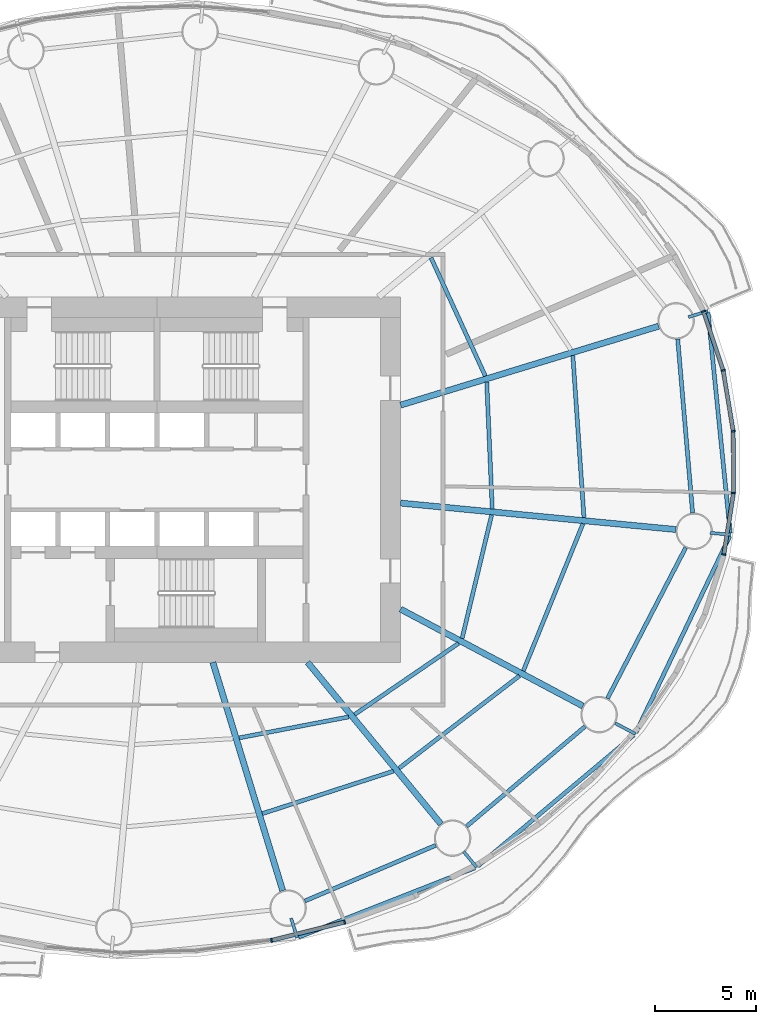
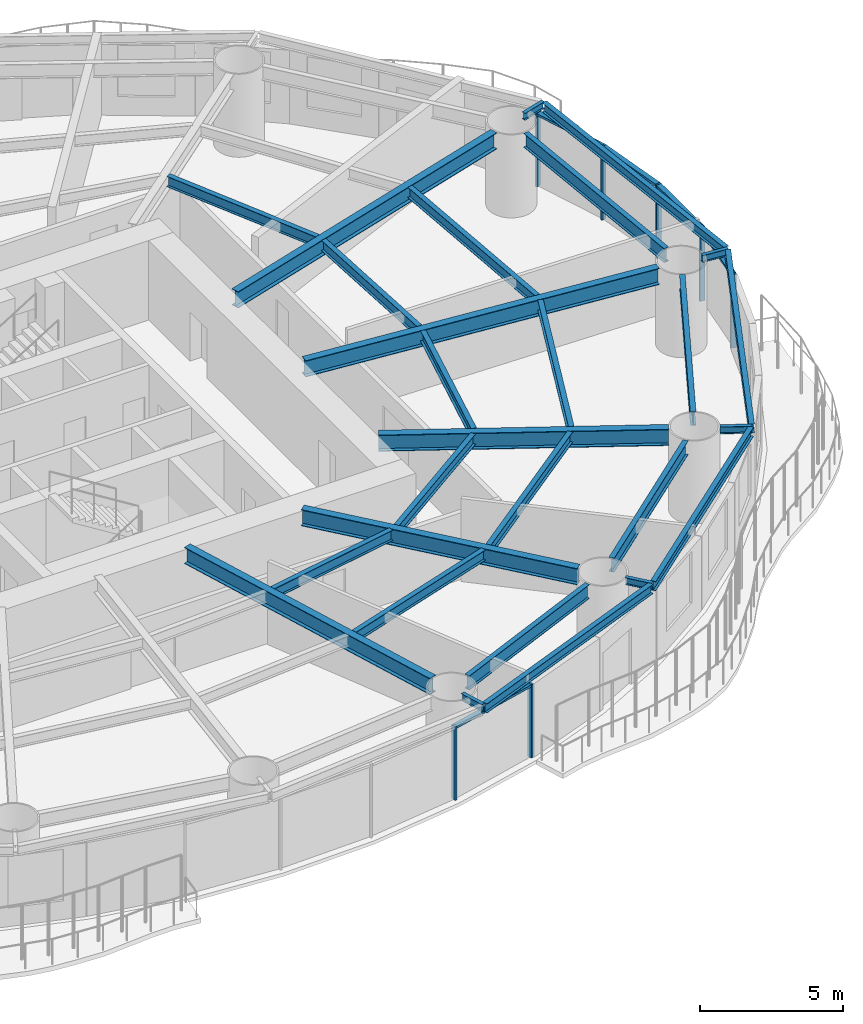
# One storey, part 4 of 17: 27 beams, 12 members, 5 elements without a shape of their own.
"""IFC4 building model written with IfcOpenShell, lengths in metres."""

from ifc_helpers import new_model, si_unit, direction, frame, origin, origin_2d, place, context, subcontext, project, spatial, rectangle, i_section, extrude, material, material_profile, profile_set, type_object, element, aggregate, save


model = new_model("IFC4")

# Units and contexts
model_context = context("Model", 3, precision=1e-05, world=origin(), true_north=direction((0.0, 1.0)))
body_context = subcontext(model_context, "Body", "Model", "MODEL_VIEW")
ifc_project = project(units=[si_unit("LENGTHUNIT", "METRE"), si_unit("AREAUNIT", "SQUARE_METRE"), si_unit("VOLUMEUNIT", "CUBIC_METRE"), si_unit("PLANEANGLEUNIT", "RADIAN"), si_unit("MASSUNIT", "GRAM", prefix="KILO")], contexts=[model_context])

# Site, building, storey
site_placement = place(None, origin())
site = spatial("IfcSite", under=ifc_project, at=site_placement, CompositionType="ELEMENT")
building_placement = place(site_placement, origin())
building = spatial("IfcBuilding", under=site, at=building_placement, Name="Vermilion Reach Broadcast Tower", CompositionType="ELEMENT")
storey_placement = place(building_placement, frame((0.0, 0.0, 54.5)))
storey = spatial("IfcBuildingStorey", under=building, at=storey_placement, Name="L10", CompositionType="ELEMENT", Elevation=54.5)

# Beams
ifc_material_1 = material(Name="Steel S355J2", Category="steel")
ifc_material_profile_1 = material_profile(ifc_material_1, i_section(OverallWidth=0.199951171875, OverallDepth=0.39990234375, WebThickness=0.008056640625, FlangeThickness=0.012939453125, at=origin_2d()), Name="S355J2 HN 400x200x8x13")
ifc_profile_set_1 = profile_set([ifc_material_profile_1], Name="Steel S355J2")
beam_type_1 = type_object("IfcBeamType", Name="EB1 HN 400x200x8x13", PredefinedType="BEAM", material=ifc_profile_set_1)
beam_1_placement = place(storey_placement, frame((0.97265625, -22.53564453125, 3.35009765625), z_axis=(0.930806107758, 0.365513323642, 0.0), x_axis=(-0.365513323642, 0.930806107758, 0.0)))
element("IfcBeam", 1, at=beam_1_placement, inside=storey, type_object=beam_type_1, Name="Edge beam EB1-13", PredefinedType="BEAM", context=body_context, shape_type="SweptSolid", body=[
    extrude(i_section(OverallWidth=0.199951171875, OverallDepth=0.39990234375, WebThickness=0.008056640625, FlangeThickness=0.012939453125, at=origin_2d()), origin(), (0.0, 0.0, 1.0), 9.34375),
])
beam_2_placement = place(storey_placement, frame((9.80078125, -19.043212890625, 3.35009765625), z_axis=(0.765615894979, 0.643297987993, 0.0), x_axis=(-0.643297987993, 0.765615894979, 0.0)))
element("IfcBeam", 2, at=beam_2_placement, inside=storey, type_object=beam_type_1, Name="Edge beam EB1-14", PredefinedType="BEAM", context=body_context, shape_type="SweptSolid", body=[
    extrude(i_section(OverallWidth=0.199951171875, OverallDepth=0.39990234375, WebThickness=0.008056640625, FlangeThickness=0.012939453125, at=origin_2d()), origin(), (0.0, 0.0, 1.0), 10.0556640625),
])
beam_3_placement = place(storey_placement, frame((17.59375, -12.454833984375, 3.35009765625), z_axis=(0.431220871695, 0.902246396399, 0.0), x_axis=(-0.902246396399, 0.431220871695, 0.0)))
element("IfcBeam", 3, at=beam_3_placement, inside=storey, type_object=beam_type_1, Name="Edge beam EB1-15", PredefinedType="BEAM", context=body_context, shape_type="SweptSolid", body=[
    extrude(i_section(OverallWidth=0.199951171875, OverallDepth=0.39990234375, WebThickness=0.008056640625, FlangeThickness=0.012939453125, at=origin_2d()), origin(), (0.0, 0.0, 1.0), 10.715087890625),
])
beam_4_placement = place(storey_placement, frame((22.2412109375, -2.638916015625, 3.35009765625), z_axis=(-0.100362561945, 0.994950931534, 0.0), x_axis=(-0.994950931534, -0.100362561945, 0.0)))
element("IfcBeam", 4, at=beam_4_placement, inside=storey, type_object=beam_type_1, Name="Edge beam EB1-16", PredefinedType="BEAM", context=body_context, shape_type="SweptSolid", body=[
    extrude(i_section(OverallWidth=0.199951171875, OverallDepth=0.39990234375, WebThickness=0.008056640625, FlangeThickness=0.012939453125, at=origin_2d()), origin(), (0.0, 0.0, 1.0), 10.919921875),
])
ifc_material_2 = material(Name="Steel S355J2", Category="steel")
ifc_material_profile_2 = material_profile(ifc_material_2, i_section(OverallWidth=0.300048828125, OverallDepth=0.699951171875, WebThickness=0.012939453125, FlangeThickness=0.02392578125, at=origin_2d()), Name="S355J2 HN 700x300x13x24")
ifc_profile_set_2 = profile_set([ifc_material_profile_2], Name="Steel S355J2")
beam_type_2 = type_object("IfcBeamType", Name="G1 HN 700x300x13x24", PredefinedType="BEAM", material=ifc_profile_set_2)
beam_5_placement = place(storey_placement, frame((6.0, 3.671142578125, 3.199951171875), z_axis=(0.956255735186, 0.292531996409, 0.0), x_axis=(-0.292531996409, 0.956255735186, 0.0)))
element("IfcBeam", 5, at=beam_5_placement, inside=storey, type_object=beam_type_2, Name="Girder G1-01", PredefinedType="BEAM", context=body_context, shape_type="SweptSolid", body=[
    extrude(i_section(OverallWidth=0.300048828125, OverallDepth=0.699951171875, WebThickness=0.012939453125, FlangeThickness=0.02392578125, at=origin_2d()), origin(), (0.0, 0.0, 1.0), 13.29638671875),
])
beam_6_placement = place(storey_placement, frame((-3.246826171875, -9.0, 3.199951171875), z_axis=(0.292542302886, -0.95625258223, 0.0), x_axis=(0.95625258223, 0.292542302886, 0.0)))
element("IfcBeam", 6, at=beam_6_placement, inside=storey, type_object=beam_type_2, Name="Girder G1-13", PredefinedType="BEAM", context=body_context, shape_type="SweptSolid", body=[
    extrude(i_section(OverallWidth=0.300048828125, OverallDepth=0.699951171875, WebThickness=0.012939453125, FlangeThickness=0.02392578125, at=origin_2d()), origin(), (0.0, 0.0, 1.0), 11.76220703125),
])
beam_7_placement = place(storey_placement, frame((1.421630859375, -9.0, 3.199951171875), z_axis=(0.636215165107, -0.77151167437, 0.0), x_axis=(0.77151167437, 0.636215165107, 0.0)))
element("IfcBeam", 7, at=beam_7_placement, inside=storey, type_object=beam_type_2, Name="Girder G1-14", PredefinedType="BEAM", context=body_context, shape_type="SweptSolid", body=[
    extrude(i_section(OverallWidth=0.300048828125, OverallDepth=0.699951171875, WebThickness=0.012939453125, FlangeThickness=0.02392578125, at=origin_2d()), origin(), (0.0, 0.0, 1.0), 10.3251953125),
])
beam_8_placement = place(storey_placement, frame((6.0, -6.3779296875, 3.199951171875), z_axis=(0.883032139419, -0.469312519279, 0.0), x_axis=(0.469312519279, 0.883032139419, 0.0)))
element("IfcBeam", 8, at=beam_8_placement, inside=storey, type_object=beam_type_2, Name="Girder G1-15", PredefinedType="BEAM", context=body_context, shape_type="SweptSolid", body=[
    extrude(i_section(OverallWidth=0.300048828125, OverallDepth=0.699951171875, WebThickness=0.012939453125, FlangeThickness=0.02392578125, at=origin_2d()), origin(), (0.0, 0.0, 1.0), 10.17529296875),
])
beam_9_placement = place(storey_placement, frame((6.0, -1.1533203125, 3.199951171875), z_axis=(0.995412178872, -0.095679643363, 0.0), x_axis=(0.095679643363, 0.995412178872, 0.0)))
element("IfcBeam", 9, at=beam_9_placement, inside=storey, type_object=beam_type_2, Name="Girder G1-16", PredefinedType="BEAM", context=body_context, shape_type="SweptSolid", body=[
    extrude(i_section(OverallWidth=0.300048828125, OverallDepth=0.699951171875, WebThickness=0.012939453125, FlangeThickness=0.02392578125, at=origin_2d()), origin(), (0.0, 0.0, 1.0), 13.630859375),
])
ifc_material_3 = material(Name="Steel S355J2", Category="steel")
ifc_material_profile_3 = material_profile(ifc_material_3, i_section(OverallWidth=0.14990234375, OverallDepth=0.300048828125, WebThickness=0.006591796875, FlangeThickness=0.009033203125, at=origin_2d()), Name="S355J2 HN 300x150x6.5x9")
ifc_profile_set_3 = profile_set([ifc_material_profile_3], Name="Steel S355J2")
beam_type_3 = type_object("IfcBeamType", Name="GS1 HN 300x150x6.5x9", PredefinedType="BEAM", material=ifc_profile_set_3)
for number, where, z_axis, x_axis, name in (
    (10, (20.18115234375, 8.009521484375, 3.39990234375), (0.95627383467, 0.292472824594, 0.0), (-0.292472824594, 0.95627383467, 0.0), "Cantilever stub GS1-01"),
    (11, (0.610107421875, -21.60693359375, 3.39990234375), (0.292472824594, -0.95627383467, 0.0), (0.95627383467, 0.292472824594, 0.0), "Cantilever stub GS1-13"),
    (12, (9.107177734375, -18.320068359375, 3.39990234375), (0.636237674108, -0.771493112118, 0.0), (0.771493112118, 0.636237674108, 0.0), "Cantilever stub GS1-14"),
):
    element("IfcBeam", number, at=place(storey_placement, frame(where, z_axis=z_axis, x_axis=x_axis)), inside=storey, type_object=beam_type_3, Name=name, PredefinedType="BEAM", context=body_context, shape_type="SweptSolid", body=[
        extrude(i_section(OverallWidth=0.14990234375, OverallDepth=0.300048828125, WebThickness=0.006591796875, FlangeThickness=0.009033203125, at=origin_2d()), origin(), (0.0, 0.0, 1.0), 1.0),
    ])
beam_10_placement = place(storey_placement, frame((16.574462890625, -11.998046875, 3.39990234375), z_axis=(0.883053482008, -0.469272360058, 0.0), x_axis=(0.469272360058, 0.883053482008, 0.0)))
element("IfcBeam", 13, at=beam_10_placement, inside=storey, type_object=beam_type_3, Name="Cantilever stub GS1-15", PredefinedType="BEAM", context=body_context, shape_type="SweptSolid", body=[
    extrude(i_section(OverallWidth=0.14990234375, OverallDepth=0.300048828125, WebThickness=0.006591796875, FlangeThickness=0.009033203125, at=origin_2d()), origin(), (0.0, 0.0, 1.0), 1.117431640625),
])
beam_11_placement = place(storey_placement, frame((21.25341796875, -2.619384765625, 3.39990234375), z_axis=(0.995409476419, -0.095707754417, 0.0), x_axis=(0.095707754417, 0.995409476419, 0.0)))
element("IfcBeam", 14, at=beam_11_placement, inside=storey, type_object=beam_type_3, Name="Cantilever stub GS1-16", PredefinedType="BEAM", context=body_context, shape_type="SweptSolid", body=[
    extrude(i_section(OverallWidth=0.14990234375, OverallDepth=0.300048828125, WebThickness=0.006591796875, FlangeThickness=0.009033203125, at=origin_2d()), origin(), (0.0, 0.0, 1.0), 1.0),
])
ifc_material_4 = material(Name="Steel S355J2", Category="steel")
ifc_material_profile_4 = material_profile(ifc_material_4, i_section(OverallWidth=0.199951171875, OverallDepth=0.60009765625, WebThickness=0.010986328125, FlangeThickness=0.01708984375, at=origin_2d()), Name="S355J2 HN 600x200x11x17")
ifc_profile_set_4 = profile_set([ifc_material_profile_4], Name="Steel S355J2")
beam_type_4 = type_object("IfcBeamType", Name="RB1 HN 600x200x11x17", PredefinedType="BEAM", material=ifc_profile_set_4)
beam_12_placement = place(storey_placement, frame((1.28564453125, -20.755859375, 3.25), z_axis=(0.920220846584, 0.391399531825, 0.0), x_axis=(-0.391399531825, 0.920220846584, 0.0)))
element("IfcBeam", 15, at=beam_12_placement, inside=storey, type_object=beam_type_4, Name="Ring beam RB1-13", PredefinedType="BEAM", context=body_context, shape_type="SweptSolid", body=[
    extrude(i_section(OverallWidth=0.199951171875, OverallDepth=0.60009765625, WebThickness=0.010986328125, FlangeThickness=0.01708984375, at=origin_2d()), origin(), (0.0, 0.0, 1.0), 7.008544921875),
])
beam_13_placement = place(storey_placement, frame((9.251220703125, -17.080322265625, 3.25), z_axis=(0.764512441084, 0.6446089725, 0.0), x_axis=(-0.6446089725, 0.764512441084, 0.0)))
element("IfcBeam", 16, at=beam_13_placement, inside=storey, type_object=beam_type_4, Name="Ring beam RB1-14", PredefinedType="BEAM", context=body_context, shape_type="SweptSolid", body=[
    extrude(i_section(OverallWidth=0.199951171875, OverallDepth=0.60009765625, WebThickness=0.010986328125, FlangeThickness=0.01708984375, at=origin_2d()), origin(), (0.0, 0.0, 1.0), 7.6396484375),
])
beam_14_placement = place(storey_placement, frame((16.194091796875, -10.776611328125, 3.25), z_axis=(0.460411617218, 0.887705549566, 0.0), x_axis=(-0.887705549566, 0.460411617218, 0.0)))
element("IfcBeam", 17, at=beam_14_placement, inside=storey, type_object=beam_type_4, Name="Ring beam RB1-15", PredefinedType="BEAM", context=body_context, shape_type="SweptSolid", body=[
    extrude(i_section(OverallWidth=0.199951171875, OverallDepth=0.60009765625, WebThickness=0.010986328125, FlangeThickness=0.01708984375, at=origin_2d()), origin(), (0.0, 0.0, 1.0), 8.37451171875),
])
beam_15_placement = place(storey_placement, frame((20.38720703125, -1.646728515625, 3.25), z_axis=(-0.085395508608, 0.996347131832, 0.0), x_axis=(-0.996347131832, -0.085395508608, 0.0)))
element("IfcBeam", 18, at=beam_15_placement, inside=storey, type_object=beam_type_4, Name="Ring beam RB1-16", PredefinedType="BEAM", context=body_context, shape_type="SweptSolid", body=[
    extrude(i_section(OverallWidth=0.199951171875, OverallDepth=0.60009765625, WebThickness=0.010986328125, FlangeThickness=0.01708984375, at=origin_2d()), origin(), (0.0, 0.0, 1.0), 8.60546875),
])
ifc_material_5 = material(Name="Steel S355J2", Category="steel")
ifc_material_profile_5 = material_profile(ifc_material_5, i_section(OverallWidth=0.199951171875, OverallDepth=0.449951171875, WebThickness=0.009033203125, FlangeThickness=0.013916015625, at=origin_2d()), Name="S355J2 HN 450x200x9x14")
ifc_profile_set_5 = profile_set([ifc_material_profile_5], Name="Steel S355J2")
beam_type_5 = type_object("IfcBeamType", Name="SB1 HN 450x200x9x14", PredefinedType="BEAM", material=ifc_profile_set_5)
beam_16_placement = place(storey_placement, frame((10.175048828125, 5.105224609375, 3.324951171875), z_axis=(-0.417211452529, 0.908809443106, 0.0), x_axis=(-0.908809443106, -0.417211452529, 0.0)))
element("IfcBeam", 19, at=beam_16_placement, inside=storey, type_object=beam_type_5, Name="Secondary beam SB1-01-1", PredefinedType="BEAM", context=body_context, shape_type="SweptSolid", body=[
    extrude(i_section(OverallWidth=0.199951171875, OverallDepth=0.449951171875, WebThickness=0.009033203125, FlangeThickness=0.013916015625, at=origin_2d()), origin(), (0.0, 0.0, 1.0), 6.41650390625),
])
beam_17_placement = place(storey_placement, frame((-1.95166015625, -12.720703125, 3.324951171875), z_axis=(0.982151348822, 0.188092339045, 0.0), x_axis=(-0.188092339045, 0.982151348822, 0.0)))
element("IfcBeam", 20, at=beam_17_placement, inside=storey, type_object=beam_type_5, Name="Secondary beam SB1-13-1", PredefinedType="BEAM", context=body_context, shape_type="SweptSolid", body=[
    extrude(i_section(OverallWidth=0.199951171875, OverallDepth=0.449951171875, WebThickness=0.009033203125, FlangeThickness=0.013916015625, at=origin_2d()), origin(), (0.0, 0.0, 1.0), 5.4931640625),
])
beam_18_placement = place(storey_placement, frame((-0.81005859375, -16.4521484375, 3.324951171875), z_axis=(0.951332300844, 0.308166924523, 0.0), x_axis=(-0.308166924523, 0.951332300844, 0.0)))
element("IfcBeam", 21, at=beam_18_placement, inside=storey, type_object=beam_type_5, Name="Secondary beam SB1-13-2", PredefinedType="BEAM", context=body_context, shape_type="SweptSolid", body=[
    extrude(i_section(OverallWidth=0.199951171875, OverallDepth=0.449951171875, WebThickness=0.009033203125, FlangeThickness=0.013916015625, at=origin_2d()), origin(), (0.0, 0.0, 1.0), 6.787841796875),
])
beam_19_placement = place(storey_placement, frame((3.735595703125, -11.5703125, 3.324951171875), z_axis=(0.825140253447, 0.564927926502, 0.0), x_axis=(-0.564927926502, 0.825140253447, 0.0)))
element("IfcBeam", 22, at=beam_19_placement, inside=storey, type_object=beam_type_5, Name="Secondary beam SB1-14-1", PredefinedType="BEAM", context=body_context, shape_type="SweptSolid", body=[
    extrude(i_section(OverallWidth=0.199951171875, OverallDepth=0.449951171875, WebThickness=0.009033203125, FlangeThickness=0.013916015625, at=origin_2d()), origin(), (0.0, 0.0, 1.0), 6.20458984375),
])
beam_20_placement = place(storey_placement, frame((5.920166015625, -14.21923828125, 3.324951171875), z_axis=(0.793349617473, 0.60876628065, 0.0), x_axis=(-0.60876628065, 0.793349617473, 0.0)))
element("IfcBeam", 23, at=beam_20_placement, inside=storey, type_object=beam_type_5, Name="Secondary beam SB1-14-2", PredefinedType="BEAM", context=body_context, shape_type="SweptSolid", body=[
    extrude(i_section(OverallWidth=0.199951171875, OverallDepth=0.449951171875, WebThickness=0.009033203125, FlangeThickness=0.013916015625, at=origin_2d()), origin(), (0.0, 0.0, 1.0), 7.486328125),
])
beam_21_placement = place(storey_placement, frame((9.031005859375, -7.81884765625, 3.324951171875), z_axis=(0.232844467589, 0.972513986487, 0.0), x_axis=(-0.972513986487, 0.232844467589, 0.0)))
element("IfcBeam", 24, at=beam_21_placement, inside=storey, type_object=beam_type_5, Name="Secondary beam SB1-15-1", PredefinedType="BEAM", context=body_context, shape_type="SweptSolid", body=[
    extrude(i_section(OverallWidth=0.199951171875, OverallDepth=0.449951171875, WebThickness=0.009033203125, FlangeThickness=0.013916015625, at=origin_2d()), origin(), (0.0, 0.0, 1.0), 6.25537109375),
])
beam_22_placement = place(storey_placement, frame((12.046630859375, -9.421630859375, 3.324951171875), z_axis=(0.375640669938, 0.926765389453, 0.0), x_axis=(-0.926765389453, 0.375640669938, 0.0)))
element("IfcBeam", 25, at=beam_22_placement, inside=storey, type_object=beam_type_5, Name="Secondary beam SB1-15-2", PredefinedType="BEAM", context=body_context, shape_type="SweptSolid", body=[
    extrude(i_section(OverallWidth=0.199951171875, OverallDepth=0.449951171875, WebThickness=0.009033203125, FlangeThickness=0.013916015625, at=origin_2d()), origin(), (0.0, 0.0, 1.0), 7.8271484375),
])
beam_23_placement = place(storey_placement, frame((10.51611328125, -1.436767578125, 3.324951171875), z_axis=(-0.043361007512, 0.999059469215, 0.0), x_axis=(-0.999059469215, -0.043361007512, 0.0)))
element("IfcBeam", 26, at=beam_23_placement, inside=storey, type_object=beam_type_5, Name="Secondary beam SB1-16-1", PredefinedType="BEAM", context=body_context, shape_type="SweptSolid", body=[
    extrude(i_section(OverallWidth=0.199951171875, OverallDepth=0.449951171875, WebThickness=0.009033203125, FlangeThickness=0.013916015625, at=origin_2d()), origin(), (0.0, 0.0, 1.0), 6.25537109375),
])
beam_24_placement = place(storey_placement, frame((15.03515625, -1.87109375, 3.324951171875), z_axis=(-0.068507801475, 0.997650580683, 0.0), x_axis=(-0.997650580683, -0.068507801475, 0.0)))
element("IfcBeam", 27, at=beam_24_placement, inside=storey, type_object=beam_type_5, Name="Secondary beam SB1-16-2", PredefinedType="BEAM", context=body_context, shape_type="SweptSolid", body=[
    extrude(i_section(OverallWidth=0.199951171875, OverallDepth=0.449951171875, WebThickness=0.009033203125, FlangeThickness=0.013916015625, at=origin_2d()), origin(), (0.0, 0.0, 1.0), 8.00048828125),
])

# Curtain wall, member
ifc_material_6 = material(Name="Low-e laminated clear glass in aluminium frame", Category="aluminium")
curtain_wall_type = type_object("IfcCurtainWallType", Name="Slot curtain wall", PredefinedType="NOTDEFINED", material=ifc_material_6)
placement = place(storey_placement, origin())
curtain_wall_1 = element("IfcCurtainWall", 28, at=placement, inside=storey, type_object=curtain_wall_type, Name="Slot curtain wall L10 46", PredefinedType="NOTDEFINED")
ifc_material_7 = material(Name="Anodised aluminium", Category="aluminium")
ifc_material_profile_6 = material_profile(ifc_material_7, rectangle(XDim=0.199951171875, YDim=0.080078125, at=origin_2d()), Name="Slot mullion 80 x 200")
ifc_profile_set_6 = profile_set([ifc_material_profile_6], Name="Anodised aluminium")
member_type_1 = type_object("IfcMemberType", Name="Slot mullion 80 x 200", PredefinedType="MULLION", material=ifc_profile_set_6)
member_1_placement = place(storey_placement, frame((21.926025390625, -3.68798828125, 0.0), z_axis=(0.0, 0.0, 1.0), x_axis=(-0.973285467986, 0.229598340167, 0.0)))
member_1 = element("IfcMember", 29, at=member_1_placement, type_object=member_type_1, Name="Slot mullion L10 46", PredefinedType="MULLION", context=body_context, shape_type="SweptSolid", body=[
    extrude(rectangle(XDim=0.199951171875, YDim=0.080078125, at=origin_2d()), origin(), (0.0, 0.0, 1.0), 3.14990234375),
])

curtain_wall_2 = element("IfcCurtainWall", 30, at=placement, inside=storey, type_object=curtain_wall_type, Name="Slot curtain wall L10 47", PredefinedType="NOTDEFINED")
member_2_placement = place(storey_placement, frame((22.397705078125, -0.6572265625, 0.0), z_axis=(0.0, 0.0, 1.0), x_axis=(-0.997173504298, 0.075133230503, 0.0)))
member_2 = element("IfcMember", 31, at=member_2_placement, type_object=member_type_1, Name="Slot mullion L10 47", PredefinedType="MULLION", context=body_context, shape_type="SweptSolid", body=[
    extrude(rectangle(XDim=0.199951171875, YDim=0.080078125, at=origin_2d()), origin(), (0.0, 0.0, 1.0), 3.14990234375),
])

curtain_wall_3 = element("IfcCurtainWall", 32, at=placement, inside=storey, type_object=curtain_wall_type, Name="Slot curtain wall L10 00", PredefinedType="NOTDEFINED")
member_3_placement = place(storey_placement, frame((22.3857421875, 2.383544921875, 0.0), z_axis=(0.0, 0.0, 1.0), x_axis=(-0.996492861481, -0.083677816757, 0.0)))
member_3 = element("IfcMember", 33, at=member_3_placement, type_object=member_type_1, Name="Slot mullion L10 00", PredefinedType="MULLION", context=body_context, shape_type="SweptSolid", body=[
    extrude(rectangle(XDim=0.199951171875, YDim=0.080078125, at=origin_2d()), origin(), (0.0, 0.0, 1.0), 3.14990234375),
])

# Curtain wall, members
curtain_wall_4 = element("IfcCurtainWall", 34, at=placement, inside=storey, type_object=curtain_wall_type, Name="Slot curtain wall L10 01", PredefinedType="NOTDEFINED")
member_4_placement = place(storey_placement, frame((21.890380859375, 5.384033203125, 0.0), z_axis=(0.0, 0.0, 1.0), x_axis=(-0.97067926239, -0.240378388309, 0.0)))
member_4 = element("IfcMember", 35, at=member_4_placement, type_object=member_type_1, Name="Slot mullion L10 01", PredefinedType="MULLION", context=body_context, shape_type="SweptSolid", body=[
    extrude(rectangle(XDim=0.199951171875, YDim=0.080078125, at=origin_2d()), origin(), (0.0, 0.0, 1.0), 3.14990234375),
])
member_5_placement = place(storey_placement, frame((20.919921875, 8.29345703125, 0.0), z_axis=(0.0, 0.0, 1.0), x_axis=(-0.921365789594, -0.388696644912, 0.0)))
member_5 = element("IfcMember", 36, at=member_5_placement, type_object=member_type_1, Name="Slot mullion L10 02", PredefinedType="MULLION", context=body_context, shape_type="SweptSolid", body=[
    extrude(rectangle(XDim=0.199951171875, YDim=0.080078125, at=origin_2d()), origin(), (0.0, 0.0, 1.0), 3.14990234375),
])

curtain_wall_5 = element("IfcCurtainWall", 37, at=placement, inside=storey, type_object=curtain_wall_type, Name="Slot curtain wall L10 37", PredefinedType="NOTDEFINED")
member_6_placement = place(storey_placement, frame((-0.35595703125, -22.6953125, 0.0), z_axis=(0.0, 0.0, 1.0), x_axis=(-0.19022536137, 0.98174045037, 0.0)))
member_6 = element("IfcMember", 38, at=member_6_placement, type_object=member_type_1, Name="Slot mullion L10 37", PredefinedType="MULLION", context=body_context, shape_type="SweptSolid", body=[
    extrude(rectangle(XDim=0.199951171875, YDim=0.080078125, at=origin_2d()), origin(), (0.0, 0.0, 1.0), 3.14990234375),
])
member_7_placement = place(storey_placement, frame((3.241943359375, -21.79443359375, 0.0), z_axis=(0.0, 0.0, 1.0), x_axis=(-0.295724776404, 0.955273184288, 0.0)))
member_7 = element("IfcMember", 39, at=member_7_placement, type_object=member_type_1, Name="Slot mullion L10 38", PredefinedType="MULLION", context=body_context, shape_type="SweptSolid", body=[
    extrude(rectangle(XDim=0.199951171875, YDim=0.080078125, at=origin_2d()), origin(), (0.0, 0.0, 1.0), 3.14990234375),
])

# Member
ifc_material_8 = material(Name="Anodised aluminium", Category="aluminium")
ifc_material_profile_7 = material_profile(ifc_material_8, rectangle(XDim=0.199951171875, YDim=0.10009765625, at=origin_2d()), Name="Slot transom 200 x 100")
ifc_profile_set_7 = profile_set([ifc_material_profile_7], Name="Anodised aluminium")
member_type_2 = type_object("IfcMemberType", Name="Slot transom 200 x 100", PredefinedType="USERDEFINED", material=ifc_profile_set_7)
member_8_placement = place(storey_placement, frame((21.932373046875, -3.6484375, 3.10009765625), z_axis=(0.153733605822, 0.988112330882, 0.0), x_axis=(-0.988112330882, 0.153733605822, 0.0)))
member_8 = element("IfcMember", 40, at=member_8_placement, type_object=member_type_2, Name="Slot transom L10 46.1", ObjectType="TRANSOM", PredefinedType="USERDEFINED", context=body_context, shape_type="SweptSolid", body=[
    extrude(rectangle(XDim=0.199951171875, YDim=0.10009765625, at=origin_2d()), origin(), (0.0, 0.0, 1.0), 2.987060546875),
])

aggregate(curtain_wall_1, [member_1, member_8])

member_9_placement = place(storey_placement, frame((22.3974609375, -0.617431640625, 3.10009765625), z_axis=(-0.003957752644, 0.999992168066, 0.0), x_axis=(-0.999992168066, -0.003957752644, 0.0)))
member_9 = element("IfcMember", 41, at=member_9_placement, type_object=member_type_2, Name="Slot transom L10 47.1", ObjectType="TRANSOM", PredefinedType="USERDEFINED", context=body_context, shape_type="SweptSolid", body=[
    extrude(rectangle(XDim=0.199951171875, YDim=0.10009765625, at=origin_2d()), origin(), (0.0, 0.0, 1.0), 2.9609375),
])

aggregate(curtain_wall_2, [member_2, member_9])

member_10_placement = place(storey_placement, frame((22.379150390625, 2.423095703125, 3.10009765625), z_axis=(-0.16284774702, 0.986651210555, 0.0), x_axis=(-0.986651210555, -0.16284774702, 0.0)))
member_10 = element("IfcMember", 42, at=member_10_placement, type_object=member_type_2, Name="Slot transom L10 00.1", ObjectType="TRANSOM", PredefinedType="USERDEFINED", context=body_context, shape_type="SweptSolid", body=[
    extrude(rectangle(XDim=0.199951171875, YDim=0.10009765625, at=origin_2d()), origin(), (0.0, 0.0, 1.0), 2.9609375),
])

aggregate(curtain_wall_3, [member_3, member_10])

member_11_placement = place(storey_placement, frame((21.877685546875, 5.421875, 3.10009765625), z_axis=(-0.316374875306, 0.948634248947, 0.0), x_axis=(-0.948634248947, -0.316374875306, 0.0)))
member_11 = element("IfcMember", 43, at=member_11_placement, type_object=member_type_2, Name="Slot transom L10 01.1", ObjectType="TRANSOM", PredefinedType="USERDEFINED", context=body_context, shape_type="SweptSolid", body=[
    extrude(rectangle(XDim=0.199951171875, YDim=0.10009765625, at=origin_2d()), origin(), (0.0, 0.0, 1.0), 2.987060546875),
])

aggregate(curtain_wall_4, [member_4, member_5, member_11])

member_12_placement = place(storey_placement, frame((-0.317138671875, -22.685791015625, 3.10009765625), z_axis=(0.970043485071, 0.242931342298, 0.0), x_axis=(-0.242931342298, 0.970043485071, 0.0)))
member_12 = element("IfcMember", 44, at=member_12_placement, type_object=member_type_2, Name="Slot transom L10 37.1", ObjectType="TRANSOM", PredefinedType="USERDEFINED", context=body_context, shape_type="SweptSolid", body=[
    extrude(rectangle(XDim=0.199951171875, YDim=0.10009765625, at=origin_2d()), origin(), (0.0, 0.0, 1.0), 3.62890625),
])

aggregate(curtain_wall_5, [member_6, member_7, member_12])

save(model, "model.ifc")
